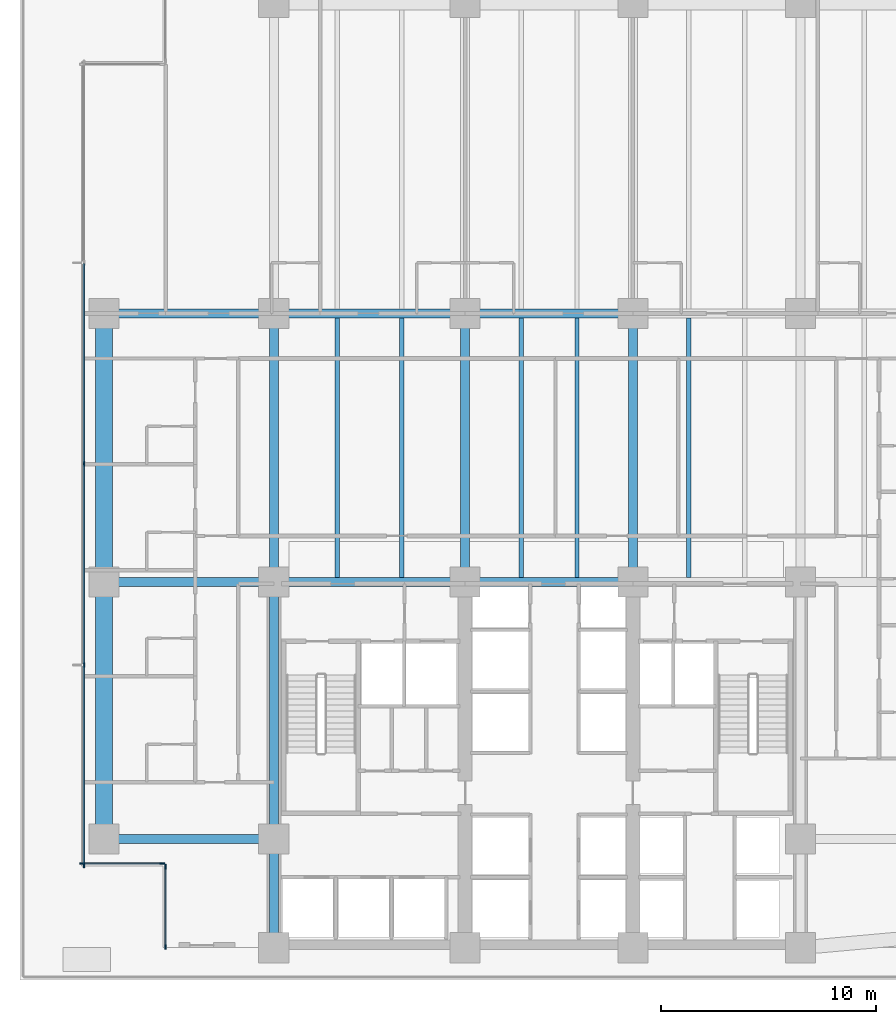
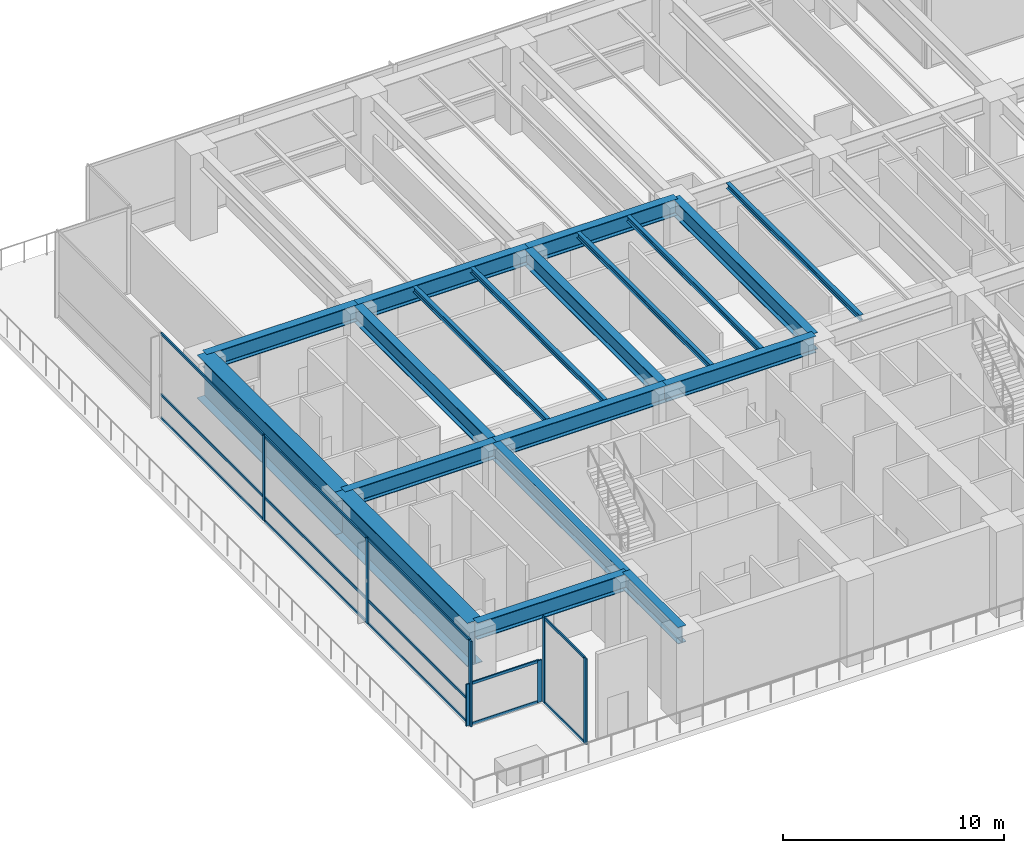
# One storey, part 2 of 19: 20 members, 19 beams, 3 elements without a shape of their own.
"""IFC4 building model written with IfcOpenShell, lengths in metres."""

from ifc_helpers import new_model, si_unit, direction, frame, origin, origin_2d, place, context, subcontext, project, spatial, rectangle, i_section, extrude, material, layer, layer_set, material_profile, profile_set, type_object, element, aggregate, save


model = new_model("IFC4")

# Units and contexts
model_context = context("Model", 3, precision=1e-05, world=origin(), true_north=direction((0.0, 1.0)))
body_context = subcontext(model_context, "Body", "Model", "MODEL_VIEW")
ifc_project = project(units=[si_unit("LENGTHUNIT", "METRE"), si_unit("AREAUNIT", "SQUARE_METRE"), si_unit("VOLUMEUNIT", "CUBIC_METRE"), si_unit("PLANEANGLEUNIT", "RADIAN"), si_unit("MASSUNIT", "GRAM", prefix="KILO")], contexts=[model_context])

# Site, building, storey
site_placement = place(None, origin())
site = spatial("IfcSite", under=ifc_project, at=site_placement, CompositionType="ELEMENT")
building_placement = place(site_placement, origin())
building = spatial("IfcBuilding", under=site, at=building_placement, Name="Qalmaran Belvedere Hotel", CompositionType="ELEMENT")
storey_placement = place(building_placement, frame((0.0, 0.0, 28.39990234375)))
storey = spatial("IfcBuildingStorey", under=building, at=storey_placement, Name="L06", CompositionType="ELEMENT", Elevation=28.39990234375)

# Beams
ifc_material_1 = material(Name="Steel S355JR", Category="steel")
ifc_material_profile_1 = material_profile(ifc_material_1, i_section(OverallWidth=0.202880859375, OverallDepth=0.302978515625, WebThickness=0.007568359375, FlangeThickness=0.01318359375, FilletRadius=0.012939453125, at=origin_2d()), Name="W310X60")
ifc_profile_set_1 = profile_set([ifc_material_profile_1], Name="Steel S355JR")
beam_type_1 = type_object("IfcBeamType", Name="BM-JST-W310X60", PredefinedType="JOIST", material=ifc_profile_set_1)
for number, where, z_axis, x_axis, name in (
    (1, (23.25, 20.7080078125, 4.568603515625), (0.0, 1.0, 0.0), (-1.0, 0.0, 0.0), "L06 Deck Joist A01"),
    (2, (26.25, 20.7080078125, 4.568603515625), (0.0, 1.0, 0.0), (-1.0, 0.0, 0.0), "L06 Deck Joist A02"),
    (3, (31.800048828125, 20.7080078125, 4.568603515625), (0.0, 1.0, 0.0), (-1.0, 0.0, 0.0), "L06 Deck Joist A03"),
    (4, (34.39990234375, 20.7080078125, 4.568603515625), (0.0, 1.0, 0.0), (-1.0, 0.0, 0.0), "L06 Deck Joist A04"),
    (5, (39.60009765625, 20.7080078125, 4.568603515625), (0.0, 1.0, 0.0), (-1.0, 0.0, 0.0), "L06 Deck Joist A05"),
):
    element("IfcBeam", number, at=place(storey_placement, frame(where, z_axis=z_axis, x_axis=x_axis)), inside=storey, type_object=beam_type_1, Name=name, PredefinedType="JOIST", context=body_context, shape_type="SweptSolid", body=[
        extrude(i_section(OverallWidth=0.202880859375, OverallDepth=0.302978515625, WebThickness=0.007568359375, FlangeThickness=0.01318359375, FilletRadius=0.012939453125, at=origin_2d()), origin(), (0.0, 0.0, 1.0), 12.083984375),
    ])
ifc_material_profile_2 = material_profile(ifc_material_1, i_section(OverallWidth=0.419921875, OverallDepth=0.9208984375, WebThickness=0.021240234375, FlangeThickness=0.03662109375, FilletRadius=0.02392578125, at=origin_2d()), Name="W920X387")
ifc_profile_set_2 = profile_set([ifc_material_profile_2], Name="Steel S355JR")
beam_type_2 = type_object("IfcBeamType", Name="BM-PG1-W920X387", PredefinedType="USERDEFINED", material=ifc_profile_set_2)
beam_1_placement = place(storey_placement, frame((20.300048828125, 20.5, 4.259521484375), z_axis=(1.0, 0.0, 0.0), x_axis=(0.0, 1.0, 0.0)))
element("IfcBeam", 6, at=beam_1_placement, inside=storey, type_object=beam_type_2, Name="L06 Primary Tie Girder G01", ObjectType="GIRDER", PredefinedType="USERDEFINED", context=body_context, shape_type="SweptSolid", body=[
    extrude(i_section(OverallWidth=0.419921875, OverallDepth=0.9208984375, WebThickness=0.021240234375, FlangeThickness=0.03662109375, FilletRadius=0.02392578125, at=origin_2d()), origin(), (0.0, 0.0, 1.0), 8.89990234375),
])
beam_2_placement = place(storey_placement, frame((29.199951171875, 20.5, 4.259521484375), z_axis=(1.0, 0.0, 0.0), x_axis=(0.0, 1.0, 0.0)))
element("IfcBeam", 7, at=beam_2_placement, inside=storey, type_object=beam_type_2, Name="L06 Primary Tie Girder G02", ObjectType="GIRDER", PredefinedType="USERDEFINED", context=body_context, shape_type="SweptSolid", body=[
    extrude(i_section(OverallWidth=0.419921875, OverallDepth=0.9208984375, WebThickness=0.021240234375, FlangeThickness=0.03662109375, FilletRadius=0.02392578125, at=origin_2d()), origin(), (0.0, 0.0, 1.0), 7.800048828125),
])
beam_3_placement = place(storey_placement, frame((20.300048828125, 33.0, 4.259521484375), z_axis=(1.0, 0.0, 0.0), x_axis=(0.0, 1.0, 0.0)))
element("IfcBeam", 8, at=beam_3_placement, inside=storey, type_object=beam_type_2, Name="L06 Primary Tie Girder G04", ObjectType="GIRDER", PredefinedType="USERDEFINED", context=body_context, shape_type="SweptSolid", body=[
    extrude(i_section(OverallWidth=0.419921875, OverallDepth=0.9208984375, WebThickness=0.021240234375, FlangeThickness=0.03662109375, FilletRadius=0.02392578125, at=origin_2d()), origin(), (0.0, 0.0, 1.0), 8.89990234375),
])
beam_4_placement = place(storey_placement, frame((29.199951171875, 33.0, 4.259521484375), z_axis=(1.0, 0.0, 0.0), x_axis=(0.0, 1.0, 0.0)))
element("IfcBeam", 9, at=beam_4_placement, inside=storey, type_object=beam_type_2, Name="L06 Primary Tie Girder G05", ObjectType="GIRDER", PredefinedType="USERDEFINED", context=body_context, shape_type="SweptSolid", body=[
    extrude(i_section(OverallWidth=0.419921875, OverallDepth=0.9208984375, WebThickness=0.021240234375, FlangeThickness=0.03662109375, FilletRadius=0.02392578125, at=origin_2d()), origin(), (0.0, 0.0, 1.0), 7.800048828125),
])
for number, where, z_axis, x_axis, name in (
    (10, (20.300048828125, 20.5, 4.259521484375), (0.0, 1.0, 0.0), (-1.0, 0.0, 0.0), "L06 Primary Tie Girder G07"),
    (11, (29.199951171875, 20.5, 4.259521484375), (0.0, 1.0, 0.0), (-1.0, 0.0, 0.0), "L06 Primary Tie Girder G08"),
    (12, (37.0, 20.5, 4.259521484375), (0.0, 1.0, 0.0), (-1.0, 0.0, 0.0), "L06 Primary Tie Girder G09"),
):
    element("IfcBeam", number, at=place(storey_placement, frame(where, z_axis=z_axis, x_axis=x_axis)), inside=storey, type_object=beam_type_2, Name=name, ObjectType="GIRDER", PredefinedType="USERDEFINED", context=body_context, shape_type="SweptSolid", body=[
        extrude(i_section(OverallWidth=0.419921875, OverallDepth=0.9208984375, WebThickness=0.021240234375, FlangeThickness=0.03662109375, FilletRadius=0.02392578125, at=origin_2d()), origin(), (0.0, 0.0, 1.0), 12.5),
    ])
for number, where, z_axis, x_axis, name in (
    (13, (12.39990234375, 8.550048828125, 4.259521484375), (1.0, 0.0, 0.0), (0.0, 1.0, 0.0), "L06 Primary Tie Girder G14"),
    (14, (12.39990234375, 20.5, 4.259521484375), (1.0, 0.0, 0.0), (0.0, 1.0, 0.0), "L06 Primary Tie Girder G15"),
    (15, (12.39990234375, 33.0, 4.259521484375), (1.0, 0.0, 0.0), (0.0, 1.0, 0.0), "L06 Primary Tie Girder G16"),
):
    element("IfcBeam", number, at=place(storey_placement, frame(where, z_axis=z_axis, x_axis=x_axis)), inside=storey, type_object=beam_type_2, Name=name, ObjectType="GIRDER", PredefinedType="USERDEFINED", context=body_context, shape_type="SweptSolid", body=[
        extrude(i_section(OverallWidth=0.419921875, OverallDepth=0.9208984375, WebThickness=0.021240234375, FlangeThickness=0.03662109375, FilletRadius=0.02392578125, at=origin_2d()), origin(), (0.0, 0.0, 1.0), 7.900146484375),
    ])
beam_5_placement = place(storey_placement, frame((20.300048828125, 3.5, 4.259521484375), z_axis=(0.0, 1.0, 0.0), x_axis=(-1.0, 0.0, 0.0)))
element("IfcBeam", 16, at=beam_5_placement, inside=storey, type_object=beam_type_2, Name="L06 Primary Tie Girder G19", ObjectType="GIRDER", PredefinedType="USERDEFINED", context=body_context, shape_type="SweptSolid", body=[
    extrude(i_section(OverallWidth=0.419921875, OverallDepth=0.9208984375, WebThickness=0.021240234375, FlangeThickness=0.03662109375, FilletRadius=0.02392578125, at=origin_2d()), origin(), (0.0, 0.0, 1.0), 5.050048828125),
])
beam_6_placement = place(storey_placement, frame((20.300048828125, 8.550048828125, 4.259521484375), z_axis=(0.0, 1.0, 0.0), x_axis=(-1.0, 0.0, 0.0)))
element("IfcBeam", 17, at=beam_6_placement, inside=storey, type_object=beam_type_2, Name="L06 Primary Tie Girder G20", ObjectType="GIRDER", PredefinedType="USERDEFINED", context=body_context, shape_type="SweptSolid", body=[
    extrude(i_section(OverallWidth=0.419921875, OverallDepth=0.9208984375, WebThickness=0.021240234375, FlangeThickness=0.03662109375, FilletRadius=0.02392578125, at=origin_2d()), origin(), (0.0, 0.0, 1.0), 11.949951171875),
])
ifc_material_profile_3 = material_profile(ifc_material_1, i_section(OverallWidth=0.800048828125, OverallDepth=2.39990234375, WebThickness=0.031982421875, FlangeThickness=0.0400390625, at=origin_2d()), Name="PG2400X800X40")
ifc_profile_set_3 = profile_set([ifc_material_profile_3], Name="Steel S355JR")
beam_type_3 = type_object("IfcBeamType", Name="BM-TG1-PG2400X800", PredefinedType="USERDEFINED", material=ifc_profile_set_3)
beam_7_placement = place(storey_placement, frame((12.39990234375, 8.550048828125, 3.52001953125), z_axis=(0.0, 1.0, 0.0), x_axis=(-1.0, 0.0, 0.0)))
element("IfcBeam", 18, at=beam_7_placement, inside=storey, type_object=beam_type_3, Name="L06 West Transfer Girder TG-1A", ObjectType="GIRDER", PredefinedType="USERDEFINED", context=body_context, shape_type="SweptSolid", body=[
    extrude(i_section(OverallWidth=0.800048828125, OverallDepth=2.39990234375, WebThickness=0.031982421875, FlangeThickness=0.0400390625, at=origin_2d()), origin(), (0.0, 0.0, 1.0), 11.949951171875),
])
beam_8_placement = place(storey_placement, frame((12.39990234375, 20.5, 3.52001953125), z_axis=(0.0, 1.0, 0.0), x_axis=(-1.0, 0.0, 0.0)))
element("IfcBeam", 19, at=beam_8_placement, inside=storey, type_object=beam_type_3, Name="L06 West Transfer Girder TG-1B", ObjectType="GIRDER", PredefinedType="USERDEFINED", context=body_context, shape_type="SweptSolid", body=[
    extrude(i_section(OverallWidth=0.800048828125, OverallDepth=2.39990234375, WebThickness=0.031982421875, FlangeThickness=0.0400390625, at=origin_2d()), origin(), (0.0, 0.0, 1.0), 12.5),
])

# Curtain wall, members
ifc_material_2 = material(Name="Anodised Bronze Aluminium", Category="aluminium")
ifc_layer = layer(ifc_material_2, 0.2099609375, Name="Anodised Bronze Aluminium")
ifc_layer_set = layer_set([ifc_layer], Name="Anodised Bronze Aluminium")
curtain_wall_type = type_object("IfcCurtainWallType", Name="CW2-TOWER-LOWER", PredefinedType="NOTDEFINED", material=ifc_layer_set)
curtain_wall_1_placement = place(storey_placement, origin())
curtain_wall_1 = element("IfcCurtainWall", 20, at=curtain_wall_1_placement, inside=storey, type_object=curtain_wall_type, Name="L06 Curtain Wall CW2", PredefinedType="NOTDEFINED")
ifc_material_profile_4 = material_profile(ifc_material_2, rectangle(XDim=0.074951171875, YDim=0.219970703125, at=origin_2d()), Name="CWM75X220")
ifc_profile_set_4 = profile_set([ifc_material_profile_4], Name="Anodised Bronze Aluminium")
member_type_1 = type_object("IfcMemberType", Name="CWM-75X220", PredefinedType="MULLION", material=ifc_profile_set_4)
member_1_placement = place(storey_placement, frame((11.469970703125, 26.0, 0.0), z_axis=(0.0, 0.0, 1.0), x_axis=(1.0, 0.0, 0.0)))
member_1 = element("IfcMember", 21, at=member_1_placement, type_object=member_type_1, Name="CW2 mullion 3", PredefinedType="MULLION", context=body_context, shape_type="SweptSolid", body=[
    extrude(rectangle(XDim=0.074951171875, YDim=0.219970703125, at=origin_2d()), origin(), (0.0, 0.0, 1.0), 4.72021484375),
])
member_2_placement = place(storey_placement, frame((11.469970703125, 16.64990234375, 0.0), z_axis=(0.0, 0.0, 1.0), x_axis=(1.0, 0.0, 0.0)))
member_2 = element("IfcMember", 22, at=member_2_placement, type_object=member_type_1, Name="CW2 mullion 4", PredefinedType="MULLION", context=body_context, shape_type="SweptSolid", body=[
    extrude(rectangle(XDim=0.074951171875, YDim=0.219970703125, at=origin_2d()), origin(), (0.0, 0.0, 1.0), 4.72021484375),
])
member_3_placement = place(storey_placement, frame((11.469970703125, 7.33740234375, 0.0), z_axis=(0.0, 0.0, 1.0), x_axis=(1.0, 0.0, 0.0)))
member_3 = element("IfcMember", 23, at=member_3_placement, type_object=member_type_1, Name="CW2 mullion 5", PredefinedType="MULLION", context=body_context, shape_type="SweptSolid", body=[
    extrude(rectangle(XDim=0.074951171875, YDim=0.219970703125, at=origin_2d()), origin(), (0.0, 0.0, 1.0), 4.72021484375),
])

curtain_wall_2_placement = place(storey_placement, origin())
curtain_wall_2 = element("IfcCurtainWall", 24, at=curtain_wall_2_placement, inside=storey, type_object=curtain_wall_type, Name="L06 Curtain Wall CW2", PredefinedType="NOTDEFINED")
member_4_placement = place(storey_placement, frame((11.387451171875, 7.419921875, 0.0), z_axis=(0.0, 0.0, 1.0), x_axis=(0.0, 1.0, 0.0)))
member_4 = element("IfcMember", 25, at=member_4_placement, type_object=member_type_1, Name="CW2 mullion 1", PredefinedType="MULLION", context=body_context, shape_type="SweptSolid", body=[
    extrude(rectangle(XDim=0.074951171875, YDim=0.219970703125, at=origin_2d()), origin(), (0.0, 0.0, 1.0), 2.30517578125),
])
member_5_placement = place(storey_placement, frame((15.112548828125, 7.419921875, 0.0), z_axis=(0.0, 0.0, 1.0), x_axis=(0.0, 1.0, 0.0)))
member_5 = element("IfcMember", 26, at=member_5_placement, type_object=member_type_1, Name="CW2 mullion 2", PredefinedType="MULLION", context=body_context, shape_type="SweptSolid", body=[
    extrude(rectangle(XDim=0.074951171875, YDim=0.219970703125, at=origin_2d()), origin(), (0.0, 0.0, 1.0), 2.30517578125),
])

curtain_wall_3_placement = place(storey_placement, origin())
curtain_wall_3 = element("IfcCurtainWall", 27, at=curtain_wall_3_placement, inside=storey, type_object=curtain_wall_type, Name="L06 Curtain Wall CW2", PredefinedType="NOTDEFINED")
member_6_placement = place(storey_placement, frame((15.27001953125, 7.262451171875, 0.0), z_axis=(0.0, 0.0, 1.0), x_axis=(1.0, 0.0, 0.0)))
member_6 = element("IfcMember", 28, at=member_6_placement, type_object=member_type_1, Name="CW2 mullion 1", PredefinedType="MULLION", context=body_context, shape_type="SweptSolid", body=[
    extrude(rectangle(XDim=0.074951171875, YDim=0.219970703125, at=origin_2d()), origin(), (0.0, 0.0, 1.0), 4.72021484375),
])
member_7_placement = place(storey_placement, frame((15.27001953125, 3.53759765625, 0.0), z_axis=(0.0, 0.0, 1.0), x_axis=(1.0, 0.0, 0.0)))
member_7 = element("IfcMember", 29, at=member_7_placement, type_object=member_type_1, Name="CW2 mullion 2", PredefinedType="MULLION", context=body_context, shape_type="SweptSolid", body=[
    extrude(rectangle(XDim=0.074951171875, YDim=0.219970703125, at=origin_2d()), origin(), (0.0, 0.0, 1.0), 4.72021484375),
])

# Member
ifc_material_profile_5 = material_profile(ifc_material_2, rectangle(XDim=0.070068359375, YDim=0.14990234375, at=origin_2d()), Name="CWT70X150")
ifc_profile_set_5 = profile_set([ifc_material_profile_5], Name="Anodised Bronze Aluminium")
member_type_2 = type_object("IfcMemberType", Name="CWT-70X150", PredefinedType="USERDEFINED", material=ifc_profile_set_5)
member_8_placement = place(storey_placement, frame((11.469970703125, 35.3125, 0.03515625), z_axis=(0.0, -1.0, 0.0), x_axis=(1.0, 0.0, 0.0)))
member_8 = element("IfcMember", 30, at=member_8_placement, type_object=member_type_2, Name="CW2 transom 2.1", ObjectType="TRANSOM", PredefinedType="USERDEFINED", context=body_context, shape_type="SweptSolid", body=[
    extrude(rectangle(XDim=0.070068359375, YDim=0.14990234375, at=origin_2d()), origin(), (0.0, 0.0, 1.0), 9.27490234375),
])

member_9_placement = place(storey_placement, frame((11.469970703125, 35.3125, 1.32177734375), z_axis=(0.0, -1.0, 0.0), x_axis=(1.0, 0.0, 0.0)))
member_9 = element("IfcMember", 31, at=member_9_placement, type_object=member_type_2, Name="CW2 transom 2.2", ObjectType="TRANSOM", PredefinedType="USERDEFINED", context=body_context, shape_type="SweptSolid", body=[
    extrude(rectangle(XDim=0.070068359375, YDim=0.14990234375, at=origin_2d()), origin(), (0.0, 0.0, 1.0), 9.27490234375),
])

member_10_placement = place(storey_placement, frame((11.469970703125, 35.3125, 4.68505859375), z_axis=(0.0, -1.0, 0.0), x_axis=(1.0, 0.0, 0.0)))
member_10 = element("IfcMember", 32, at=member_10_placement, type_object=member_type_2, Name="CW2 transom 2.3", ObjectType="TRANSOM", PredefinedType="USERDEFINED", context=body_context, shape_type="SweptSolid", body=[
    extrude(rectangle(XDim=0.070068359375, YDim=0.14990234375, at=origin_2d()), origin(), (0.0, 0.0, 1.0), 9.27490234375),
])

member_11_placement = place(storey_placement, frame((11.469970703125, 25.96240234375, 0.03515625), z_axis=(0.0, -1.0, 0.0), x_axis=(1.0, 0.0, 0.0)))
member_11 = element("IfcMember", 33, at=member_11_placement, type_object=member_type_2, Name="CW2 transom 3.1", ObjectType="TRANSOM", PredefinedType="USERDEFINED", context=body_context, shape_type="SweptSolid", body=[
    extrude(rectangle(XDim=0.070068359375, YDim=0.14990234375, at=origin_2d()), origin(), (0.0, 0.0, 1.0), 9.27490234375),
])

member_12_placement = place(storey_placement, frame((11.469970703125, 25.96240234375, 1.32177734375), z_axis=(0.0, -1.0, 0.0), x_axis=(1.0, 0.0, 0.0)))
member_12 = element("IfcMember", 34, at=member_12_placement, type_object=member_type_2, Name="CW2 transom 3.2", ObjectType="TRANSOM", PredefinedType="USERDEFINED", context=body_context, shape_type="SweptSolid", body=[
    extrude(rectangle(XDim=0.070068359375, YDim=0.14990234375, at=origin_2d()), origin(), (0.0, 0.0, 1.0), 9.27490234375),
])

member_13_placement = place(storey_placement, frame((11.469970703125, 25.96240234375, 4.68505859375), z_axis=(0.0, -1.0, 0.0), x_axis=(1.0, 0.0, 0.0)))
member_13 = element("IfcMember", 35, at=member_13_placement, type_object=member_type_2, Name="CW2 transom 3.3", ObjectType="TRANSOM", PredefinedType="USERDEFINED", context=body_context, shape_type="SweptSolid", body=[
    extrude(rectangle(XDim=0.070068359375, YDim=0.14990234375, at=origin_2d()), origin(), (0.0, 0.0, 1.0), 9.27490234375),
])

member_14_placement = place(storey_placement, frame((11.469970703125, 16.612548828125, 0.03515625), z_axis=(0.0, -1.0, 0.0), x_axis=(1.0, 0.0, 0.0)))
member_14 = element("IfcMember", 36, at=member_14_placement, type_object=member_type_2, Name="CW2 transom 4.1", ObjectType="TRANSOM", PredefinedType="USERDEFINED", context=body_context, shape_type="SweptSolid", body=[
    extrude(rectangle(XDim=0.070068359375, YDim=0.14990234375, at=origin_2d()), origin(), (0.0, 0.0, 1.0), 9.237548828125),
])

member_15_placement = place(storey_placement, frame((11.469970703125, 16.612548828125, 1.32177734375), z_axis=(0.0, -1.0, 0.0), x_axis=(1.0, 0.0, 0.0)))
member_15 = element("IfcMember", 37, at=member_15_placement, type_object=member_type_2, Name="CW2 transom 4.2", ObjectType="TRANSOM", PredefinedType="USERDEFINED", context=body_context, shape_type="SweptSolid", body=[
    extrude(rectangle(XDim=0.070068359375, YDim=0.14990234375, at=origin_2d()), origin(), (0.0, 0.0, 1.0), 9.237548828125),
])

member_16_placement = place(storey_placement, frame((11.469970703125, 16.612548828125, 4.68505859375), z_axis=(0.0, -1.0, 0.0), x_axis=(1.0, 0.0, 0.0)))
member_16 = element("IfcMember", 38, at=member_16_placement, type_object=member_type_2, Name="CW2 transom 4.3", ObjectType="TRANSOM", PredefinedType="USERDEFINED", context=body_context, shape_type="SweptSolid", body=[
    extrude(rectangle(XDim=0.070068359375, YDim=0.14990234375, at=origin_2d()), origin(), (0.0, 0.0, 1.0), 9.237548828125),
])

aggregate(curtain_wall_1, [member_1, member_2, member_3, member_8, member_9, member_10, member_11, member_12, member_13, member_14, member_15, member_16])

member_17_placement = place(storey_placement, frame((11.425048828125, 7.419921875, 0.03515625), z_axis=(1.0, 0.0, 0.0), x_axis=(0.0, 1.0, 0.0)))
member_17 = element("IfcMember", 39, at=member_17_placement, type_object=member_type_2, Name="CW2 transom 1.1", ObjectType="TRANSOM", PredefinedType="USERDEFINED", context=body_context, shape_type="SweptSolid", body=[
    extrude(rectangle(XDim=0.070068359375, YDim=0.14990234375, at=origin_2d()), origin(), (0.0, 0.0, 1.0), 3.64990234375),
])

member_18_placement = place(storey_placement, frame((11.425048828125, 7.419921875, 2.27001953125), z_axis=(1.0, 0.0, 0.0), x_axis=(0.0, 1.0, 0.0)))
member_18 = element("IfcMember", 40, at=member_18_placement, type_object=member_type_2, Name="CW2 transom 1.2", ObjectType="TRANSOM", PredefinedType="USERDEFINED", context=body_context, shape_type="SweptSolid", body=[
    extrude(rectangle(XDim=0.070068359375, YDim=0.14990234375, at=origin_2d()), origin(), (0.0, 0.0, 1.0), 3.64990234375),
])

aggregate(curtain_wall_2, [member_4, member_5, member_17, member_18])

member_19_placement = place(storey_placement, frame((15.27001953125, 7.22509765625, 0.03515625), z_axis=(0.0, -1.0, 0.0), x_axis=(1.0, 0.0, 0.0)))
member_19 = element("IfcMember", 41, at=member_19_placement, type_object=member_type_2, Name="CW2 transom 1.1", ObjectType="TRANSOM", PredefinedType="USERDEFINED", context=body_context, shape_type="SweptSolid", body=[
    extrude(rectangle(XDim=0.070068359375, YDim=0.14990234375, at=origin_2d()), origin(), (0.0, 0.0, 1.0), 3.650146484375),
])

member_20_placement = place(storey_placement, frame((15.27001953125, 7.22509765625, 4.68505859375), z_axis=(0.0, -1.0, 0.0), x_axis=(1.0, 0.0, 0.0)))
member_20 = element("IfcMember", 42, at=member_20_placement, type_object=member_type_2, Name="CW2 transom 1.2", ObjectType="TRANSOM", PredefinedType="USERDEFINED", context=body_context, shape_type="SweptSolid", body=[
    extrude(rectangle(XDim=0.070068359375, YDim=0.14990234375, at=origin_2d()), origin(), (0.0, 0.0, 1.0), 3.650146484375),
])

aggregate(curtain_wall_3, [member_6, member_7, member_19, member_20])

save(model, "model.ifc")
